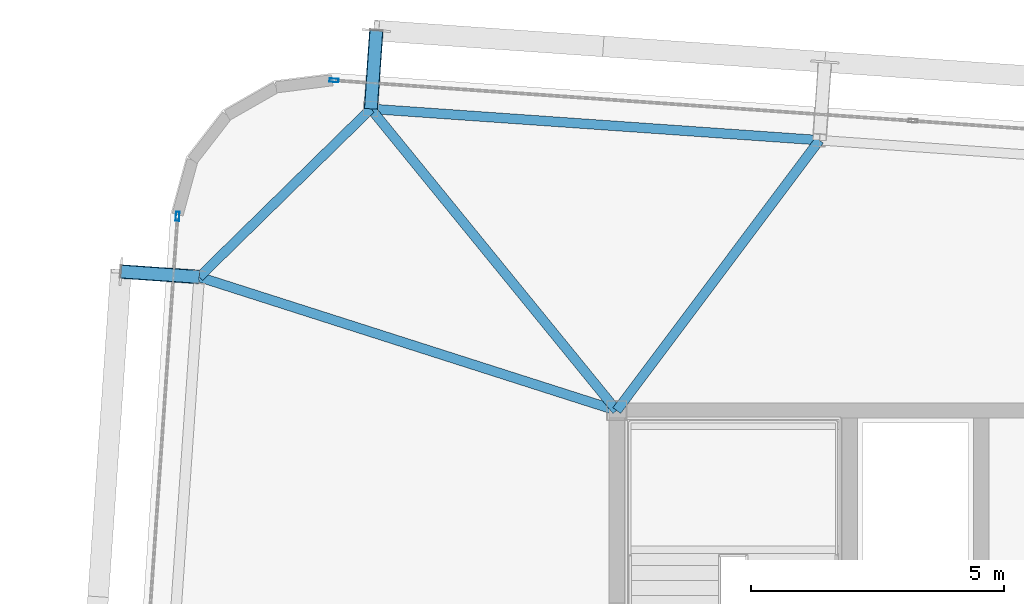
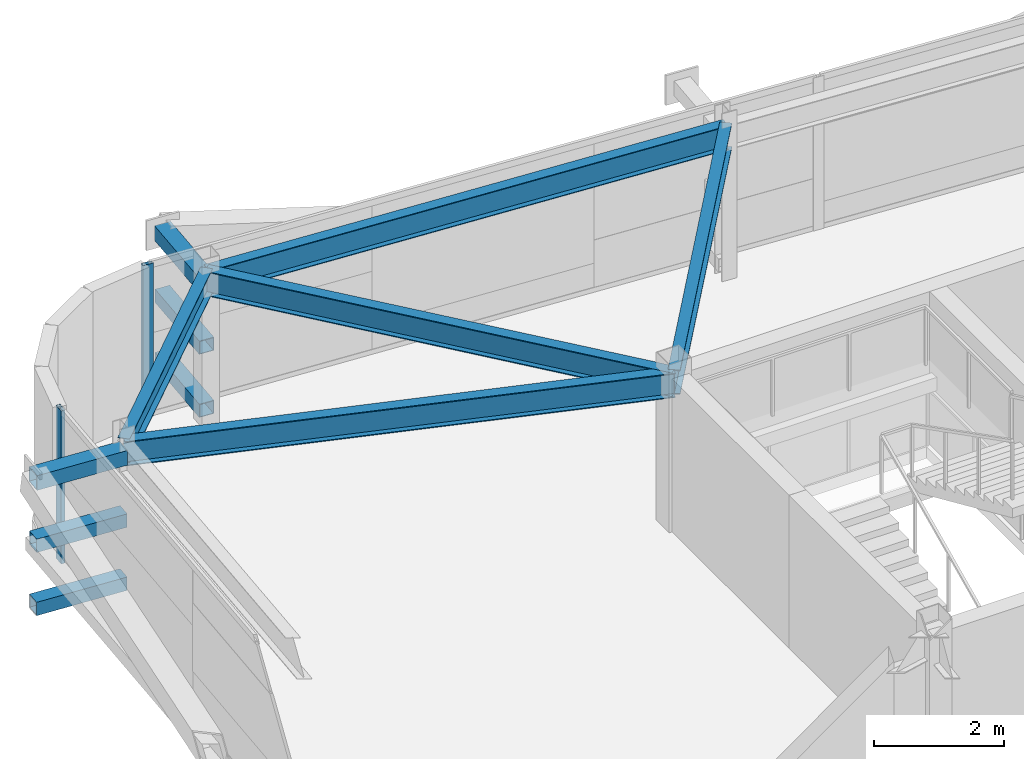
# One storey, part 19 of 39: 8 members, 5 beams, 2 elements without a shape of their own.
"""IFC4 building model written with IfcOpenShell, lengths in metres."""

from ifc_helpers import new_model, si_unit, direction, frame, origin, origin_2d, place, context, subcontext, project, spatial, hollow_rectangle, i_section, extrude, source, transform, mapped, material, layer, layer_set, material_profile, profile_set, type_object, element, aggregate, save


model = new_model("IFC4")

# Units and contexts
model_context = context("Model", 3, precision=1e-05, world=origin(), true_north=direction((0.0, 1.0)))
body_context = subcontext(model_context, "Body", "Model", "MODEL_VIEW")
ifc_project = project(units=[si_unit("LENGTHUNIT", "METRE"), si_unit("AREAUNIT", "SQUARE_METRE"), si_unit("VOLUMEUNIT", "CUBIC_METRE"), si_unit("PLANEANGLEUNIT", "RADIAN"), si_unit("MASSUNIT", "GRAM", prefix="KILO")], contexts=[model_context])

# Site, building, storey
site_placement = place(None, origin())
site = spatial("IfcSite", under=ifc_project, at=site_placement, CompositionType="ELEMENT")
building_placement = place(site_placement, origin())
building = spatial("IfcBuilding", under=site, at=building_placement, Name="Taldren Reach Tower", CompositionType="ELEMENT")
storey_placement = place(building_placement, frame((0.0, 0.0, 161.35009765625)))
storey = spatial("IfcBuildingStorey", under=building, at=storey_placement, Name="L49", CompositionType="ELEMENT", Elevation=161.35009765625)

# Members
ifc_material_1 = material(Name="Steel Gr 450 (C450L0)", Category="steel")
ifc_material_profile_1 = material_profile(ifc_material_1, hollow_rectangle(XDim=0.27490234375, YDim=0.27490234375, WallThickness=0.00927734375, at=origin_2d()), Name="275x275x9.3SHS")
ifc_profile_set_1 = profile_set([ifc_material_profile_1], Name="Steel Gr 450 (C450L0)")
member_type_1 = type_object("IfcMemberType", Name="MB-TIE273", PredefinedType="STRUT", material=ifc_profile_set_1)
shared_shape_1 = source(origin(), body_context, "Body", "SweptSolid", [
    extrude(hollow_rectangle(XDim=0.27490234375, YDim=0.27490234375, WallThickness=0.00927734375, at=origin_2d()), origin(), (0.0, 0.0, 1.0), 1.5498046875),
])
for number, where, z_axis, x_axis, name in (
    (1, (14.14453125, 37.958740234375, 2.58984375), (0.069780535098, 0.997562367434, 0.0), (-0.997562367434, 0.069780535098, 0.0), "Exoskeleton diaphragm tie strut B3-N1 L49"),
    (2, (10.754638671875, 34.63720703125, 2.58984375), (-0.997562367434, 0.069780535098, 0.0), (-0.069780535098, -0.997562367434, 0.0), "Exoskeleton diaphragm tie strut B3-W3 L49"),
):
    element("IfcMember", number, at=place(storey_placement, frame(where, z_axis=z_axis, x_axis=x_axis)), inside=storey, type_object=member_type_1, Name=name, PredefinedType="STRUT", context=body_context, shape_type="MappedRepresentation", body=[
        mapped(shared_shape_1, transform((0.0, 0.0, 0.0), scale=1.0)),
    ])
ifc_material_2 = material(Name="Steel Gr 350 (C350L0)", Category="steel")
ifc_material_profile_2 = material_profile(ifc_material_2, hollow_rectangle(XDim=0.25, YDim=0.25, WallThickness=0.010009765625, at=origin_2d()), Name="250x250x10.0SHS")
ifc_profile_set_2 = profile_set([ifc_material_profile_2], Name="Steel Gr 350 (C350L0)")
member_type_2 = type_object("IfcMemberType", Name="MB-POST250", PredefinedType="POST", material=ifc_profile_set_2)
shared_shape_2 = source(origin(), body_context, "Body", "SweptSolid", [
    extrude(hollow_rectangle(XDim=0.25, YDim=0.25, WallThickness=0.010009765625, at=origin_2d()), origin(), (0.0, 0.0, 1.0), 1.5498046875),
])
for number, where, z_axis, x_axis, name in (
    (3, (14.14453125, 37.958740234375, 0.219970703125), (0.069780535098, 0.997562367434, 0.0), (-0.997562367434, 0.069780535098, 0.0), "Exoskeleton base diaphragm tie strut B3-N1 L49"),
    (4, (10.754638671875, 34.63720703125, 0.219970703125), (-0.997562367434, 0.069780535098, 0.0), (-0.069780535098, -0.997562367434, 0.0), "Exoskeleton base diaphragm tie strut B3-W3 L49"),
    (5, (14.14453125, 37.958740234375, 1.40478515625), (0.069780535098, 0.997562367434, 0.0), (-0.997562367434, 0.069780535098, 0.0), "Exoskeleton mid-tier diaphragm tie B3-N1 L49"),
    (6, (10.754638671875, 34.63720703125, 1.40478515625), (-0.997562367434, 0.069780535098, 0.0), (-0.069780535098, -0.997562367434, 0.0), "Exoskeleton mid-tier diaphragm tie B3-W3 L49"),
):
    element("IfcMember", number, at=place(storey_placement, frame(where, z_axis=z_axis, x_axis=x_axis)), inside=storey, type_object=member_type_2, Name=name, PredefinedType="POST", context=body_context, shape_type="MappedRepresentation", body=[
        mapped(shared_shape_2, transform((0.0, 0.0, 0.0), scale=1.0)),
    ])

# Beams
ifc_material_3 = material(Name="Steel Gr 350 (350PLUS)", Category="steel")
ifc_material_profile_3 = material_profile(ifc_material_3, i_section(OverallWidth=0.18994140625, OverallDepth=0.4541015625, WebThickness=0.008544921875, FlangeThickness=0.0126953125, at=origin_2d()), Name="460UB67.1")
ifc_profile_set_3 = profile_set([ifc_material_profile_3], Name="Steel Gr 350 (350PLUS)")
beam_type_1 = type_object("IfcBeamType", Name="SP-UB460B", PredefinedType="SPANDREL", material=ifc_profile_set_3)
shared_shape_3 = source(origin(), body_context, "Body", "SweptSolid", [
    extrude(i_section(OverallWidth=0.18994140625, OverallDepth=0.4541015625, WebThickness=0.008544921875, FlangeThickness=0.0126953125, at=origin_2d()), origin(), (0.0, 0.0, 1.0), 8.880126953125),
])
beam_1_placement = place(storey_placement, frame((23.0029296875, 37.33935546875, 2.642822265625), z_axis=(-0.997564479639, 0.069750333063, 0.0), x_axis=(-0.069750333063, -0.997564479639, 0.0)))
element("IfcBeam", 7, at=beam_1_placement, inside=storey, type_object=beam_type_1, Name="Perimeter spandrel B3 N2-N1 L49", PredefinedType="SPANDREL", context=body_context, shape_type="MappedRepresentation", body=[
    mapped(shared_shape_3, transform((0.0, 0.0, 0.0), scale=1.0)),
])
shared_shape_4 = source(origin(), body_context, "Body", "SweptSolid", [
    extrude(i_section(OverallWidth=0.18994140625, OverallDepth=0.4541015625, WebThickness=0.008544921875, FlangeThickness=0.0126953125, at=origin_2d()), origin(), (0.0, 0.0, 1.0), 4.745849609375),
])
beam_2_placement = place(storey_placement, frame((14.14453125, 37.958740234375, 2.642822265625), z_axis=(-0.714271982806, -0.699868226581, 0.0), x_axis=(0.699868226581, -0.714271982806, 0.0)))
element("IfcBeam", 8, at=beam_2_placement, inside=storey, type_object=beam_type_1, Name="Perimeter spandrel B3 N1-W3 L49", PredefinedType="SPANDREL", context=body_context, shape_type="MappedRepresentation", body=[
    mapped(shared_shape_4, transform((0.0, 0.0, 0.0), scale=1.0)),
])
ifc_material_profile_4 = material_profile(ifc_material_3, i_section(OverallWidth=0.19091796875, OverallDepth=0.4599609375, WebThickness=0.010009765625, FlangeThickness=0.01611328125, at=origin_2d()), Name="460UB82.1")
ifc_profile_set_4 = profile_set([ifc_material_profile_4], Name="Steel Gr 350 (350PLUS)")
beam_type_2 = type_object("IfcBeamType", Name="BM-UB460A", PredefinedType="BEAM", material=ifc_profile_set_4)
shared_shape_5 = source(origin(), body_context, "Body", "SweptSolid", [
    extrude(i_section(OverallWidth=0.19091796875, OverallDepth=0.4599609375, WebThickness=0.010009765625, FlangeThickness=0.01611328125, at=origin_2d()), origin(), (0.0, 0.0, 1.0), 6.67333984375),
])
beam_3_placement = place(storey_placement, frame((19.0, 32.0, 2.639892578125), z_axis=(0.599847795508, 0.800114130749, 0.0), x_axis=(-0.800114130749, 0.599847795508, 0.0)))
element("IfcBeam", 9, at=beam_3_placement, inside=storey, type_object=beam_type_2, Name="Primary floor girder B3-N2 L49", PredefinedType="BEAM", context=body_context, shape_type="MappedRepresentation", body=[
    mapped(shared_shape_5, transform((0.0, 0.0, 0.0), scale=1.0)),
])
shared_shape_6 = source(origin(), body_context, "Body", "SweptSolid", [
    extrude(i_section(OverallWidth=0.19091796875, OverallDepth=0.4599609375, WebThickness=0.010009765625, FlangeThickness=0.01611328125, at=origin_2d()), origin(), (0.0, 0.0, 1.0), 7.6865234375),
])
beam_4_placement = place(storey_placement, frame((19.0, 32.0, 2.639892578125), z_axis=(-0.631688504871, 0.775222311866, 0.0), x_axis=(-0.775222311866, -0.631688504871, 0.0)))
element("IfcBeam", 10, at=beam_4_placement, inside=storey, type_object=beam_type_2, Name="Primary floor girder B3-N1 L49", PredefinedType="BEAM", context=body_context, shape_type="MappedRepresentation", body=[
    mapped(shared_shape_6, transform((0.0, 0.0, 0.0), scale=1.0)),
])
shared_shape_7 = source(origin(), body_context, "Body", "SweptSolid", [
    extrude(i_section(OverallWidth=0.19091796875, OverallDepth=0.4599609375, WebThickness=0.010009765625, FlangeThickness=0.01611328125, at=origin_2d()), origin(), (0.0, 0.0, 1.0), 8.65673828125),
])
beam_5_placement = place(storey_placement, frame((19.0, 32.0, 2.639892578125), z_axis=(-0.952468016288, 0.304638602195, 0.0), x_axis=(-0.304638602195, -0.952468016288, 0.0)))
element("IfcBeam", 11, at=beam_5_placement, inside=storey, type_object=beam_type_2, Name="Primary floor girder B3-W3 L49", PredefinedType="BEAM", context=body_context, shape_type="MappedRepresentation", body=[
    mapped(shared_shape_7, transform((0.0, 0.0, 0.0), scale=1.0)),
])

# Curtain wall, member
ifc_material_4 = material(Name="Aluminium and Low-E Glass Unitised System", Category="aluminium")
ifc_layer = layer(ifc_material_4, 0.159912109375)
ifc_layer_set = layer_set([ifc_layer], Name="Aluminium and Low-E Glass Unitised System")
curtain_wall_type = type_object("IfcCurtainWallType", Name="CW-SYS-4", PredefinedType="NOTDEFINED", material=ifc_layer_set)
curtain_wall_1_placement = place(storey_placement, origin())
curtain_wall_1 = element("IfcCurtainWall", 12, at=curtain_wall_1_placement, inside=storey, type_object=curtain_wall_type, Name="Unitised curtain wall CW-L49-N", PredefinedType="NOTDEFINED")
ifc_material_5 = material(Name="Anodised Aluminium 6063-T6", Category="aluminium")
ifc_material_profile_5 = material_profile(ifc_material_5, hollow_rectangle(XDim=0.070068359375, YDim=0.179931640625, WallThickness=0.00390625, at=origin_2d()), Name="ALU-180x70x4RHS")
ifc_profile_set_5 = profile_set([ifc_material_profile_5], Name="Anodised Aluminium 6063-T6")
member_type_3 = type_object("IfcMemberType", Name="CW-MUL-180", PredefinedType="MULLION", material=ifc_profile_set_5)
shared_shape_8 = source(origin(), body_context, "Body", "SweptSolid", [
    extrude(hollow_rectangle(XDim=0.070068359375, YDim=0.179931640625, WallThickness=0.00390625, at=origin_2d()), origin(), (0.0, 0.0, 1.0), 2.869873046875),
])
member_1_placement = place(storey_placement, frame((13.4169921875, 38.52099609375, 0.0), z_axis=(0.0, 0.0, 1.0), x_axis=(-0.06975651593, -0.99756404731, 0.0)))
member_1 = element("IfcMember", 13, at=member_1_placement, type_object=member_type_3, Name="CW-4 mullion 5", PredefinedType="MULLION", context=body_context, shape_type="MappedRepresentation", body=[
    mapped(shared_shape_8, transform((0.0, 0.0, 0.0), scale=1.0)),
])
aggregate(curtain_wall_1, [member_1])

curtain_wall_2_placement = place(storey_placement, origin())
curtain_wall_2 = element("IfcCurtainWall", 14, at=curtain_wall_2_placement, inside=storey, type_object=curtain_wall_type, Name="Unitised curtain wall CW-L49-W", PredefinedType="NOTDEFINED")
member_2_placement = place(storey_placement, frame((10.3271484375, 35.8349609375, 0.0), z_axis=(0.0, 0.0, 1.0), x_axis=(0.997564052812, -0.069756437251, 0.0)))
member_2 = element("IfcMember", 15, at=member_2_placement, type_object=member_type_3, Name="CW-4 mullion 1", PredefinedType="MULLION", context=body_context, shape_type="MappedRepresentation", body=[
    mapped(shared_shape_8, transform((0.0, 0.0, 0.0), scale=1.0)),
])
aggregate(curtain_wall_2, [member_2])

save(model, "model.ifc")
